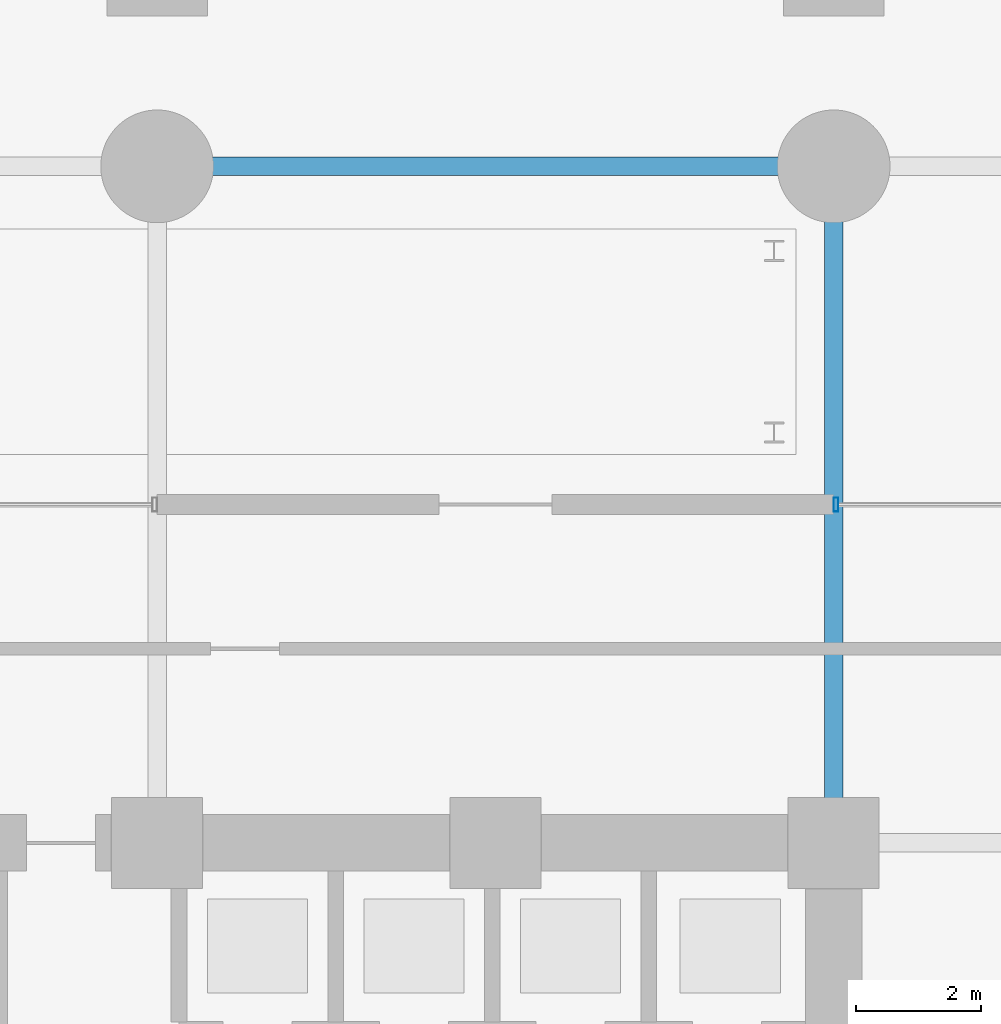
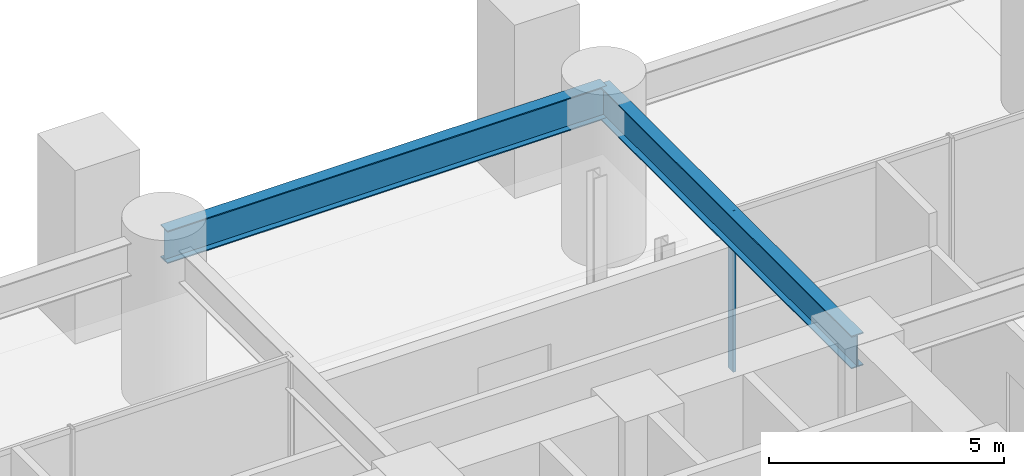
# One storey, part 16 of 29: 2 beams, 1 member, 1 element without a shape of its own.
"""IFC4 building model written with IfcOpenShell, lengths in metres."""

from ifc_helpers import new_model, si_unit, direction, frame, origin, origin_2d, place, context, subcontext, project, spatial, hollow_rectangle, i_section, extrude, material, layer, layer_set, material_profile, profile_set, type_object, element, aggregate, save


model = new_model("IFC4")

# Units and contexts
model_context = context("Model", 3, precision=1e-05, world=origin(), true_north=direction((0.0, 1.0)))
body_context = subcontext(model_context, "Body", "Model", "MODEL_VIEW")
ifc_project = project(units=[si_unit("LENGTHUNIT", "METRE"), si_unit("AREAUNIT", "SQUARE_METRE"), si_unit("VOLUMEUNIT", "CUBIC_METRE"), si_unit("PLANEANGLEUNIT", "RADIAN"), si_unit("MASSUNIT", "GRAM", prefix="KILO")], contexts=[model_context])

# Site, building, storey
site_placement = place(None, origin())
site = spatial("IfcSite", under=ifc_project, at=site_placement, CompositionType="ELEMENT")
building_placement = place(site_placement, origin())
building = spatial("IfcBuilding", under=site, at=building_placement, Name="Surkhivell Harbour Commons", CompositionType="ELEMENT")
storey_placement = place(building_placement, origin())
storey = spatial("IfcBuildingStorey", under=building, at=storey_placement, Name="L00", CompositionType="ELEMENT", Elevation=0.0)

# Beams
ifc_material_1 = material(Name="Steel S460", Category="steel")
ifc_material_profile_1 = material_profile(ifc_material_1, i_section(OverallWidth=0.2939453125, OverallDepth=0.85107421875, WebThickness=0.01611328125, FlangeThickness=0.02685546875, at=origin_2d()), Name="UB838x292x226")
ifc_profile_set_1 = profile_set([ifc_material_profile_1], Name="Steel S460")
beam_type = type_object("IfcBeamType", Name="BM-SPN-838", PredefinedType="SPANDREL", material=ifc_profile_set_1)
for number, where, z_axis, x_axis, name in (
    (1, (0.0, 21.60009765625, 3.7744140625), (1.0, 0.0, 0.0), (0.0, 1.0, 0.0), "L00 Framing Beam (0.0,21.6)"),
    (2, (10.800048828125, 10.800048828125, 3.7744140625), (0.0, 1.0, 0.0), (-1.0, 0.0, 0.0), "L00 Framing Beam (10.8,10.8)"),
):
    element("IfcBeam", number, at=place(storey_placement, frame(where, z_axis=z_axis, x_axis=x_axis)), inside=storey, type_object=beam_type, Name=name, PredefinedType="SPANDREL", context=body_context, shape_type="SweptSolid", body=[
        extrude(i_section(OverallWidth=0.2939453125, OverallDepth=0.85107421875, WebThickness=0.01611328125, FlangeThickness=0.02685546875, at=origin_2d()), origin(), (0.0, 0.0, 1.0), 10.800048828125),
    ])

# Curtain wall, member
ifc_material_2 = material(Name="Anodised pale-metal aluminium and insulated glazing", Category="aluminium")
ifc_layer = layer(ifc_material_2, 0.239990234375)
ifc_layer_set = layer_set([ifc_layer], Name="Anodised pale-metal aluminium and insulated glazing")
curtain_wall_type = type_object("IfcCurtainWallType", Name="CW-SYS-POD", PredefinedType="NOTDEFINED", material=ifc_layer_set)
curtain_wall_placement = place(storey_placement, origin())
curtain_wall = element("IfcCurtainWall", 3, at=curtain_wall_placement, inside=storey, type_object=curtain_wall_type, Name="L00 Curtain Wall CW-L00-P04", PredefinedType="NOTDEFINED")
ifc_material_3 = material(Name="Anodised pale-metal aluminium alloy 6063-T6", Category="aluminium")
ifc_material_profile_2 = material_profile(ifc_material_3, hollow_rectangle(XDim=0.074951171875, YDim=0.219970703125, WallThickness=0.00390625, at=origin_2d()), Name="ALU-MULL-75x220")
ifc_profile_set_2 = profile_set([ifc_material_profile_2], Name="Anodised pale-metal aluminium alloy 6063-T6")
member_type = type_object("IfcMemberType", Name="CWM-220", PredefinedType="MULLION", material=ifc_profile_set_2)
member_placement = place(storey_placement, frame((10.83740234375, 16.199951171875, 0.0), z_axis=(0.0, 0.0, 1.0), x_axis=(1.0, 0.0, 0.0)))
member = element("IfcMember", 4, at=member_placement, type_object=member_type, Name="CW-POD mullion 1", PredefinedType="MULLION", context=body_context, shape_type="SweptSolid", body=[
    extrude(hollow_rectangle(XDim=0.074951171875, YDim=0.219970703125, WallThickness=0.00390625, at=origin_2d()), origin(), (0.0, 0.0, 1.0), 4.199951171875),
])
aggregate(curtain_wall, [member])

save(model, "model.ifc")
